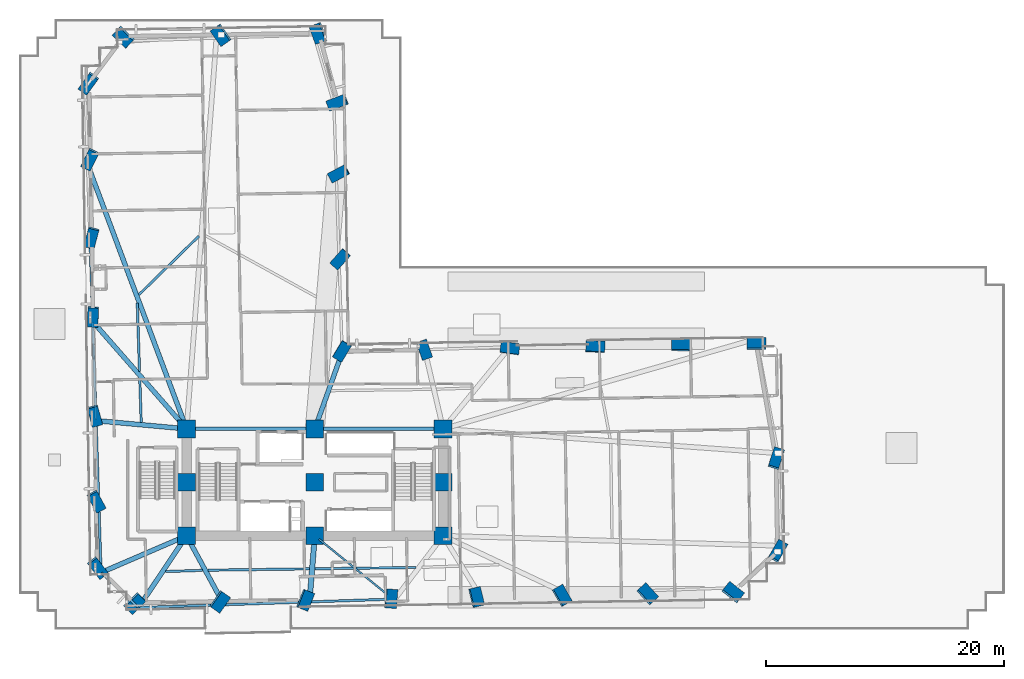
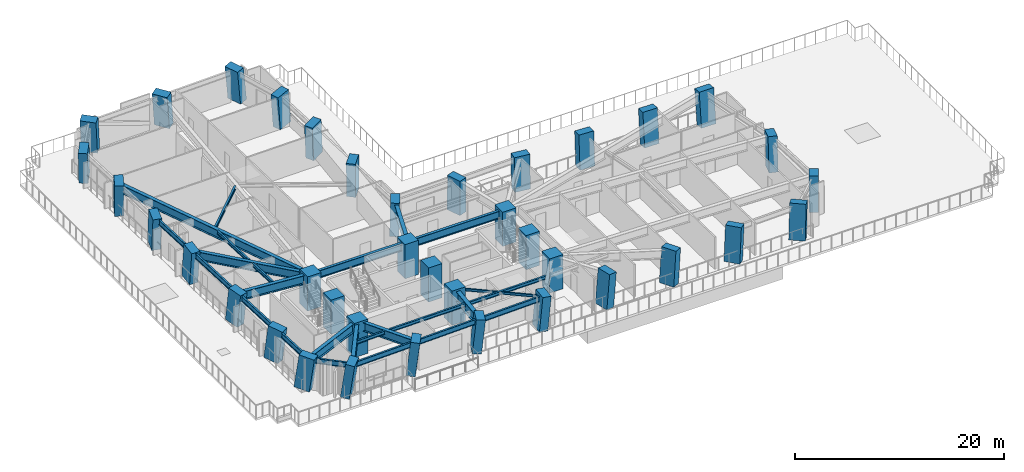
# One storey, part 1 of 17: 38 columns, 25 beams.
"""IFC4 building model written with IfcOpenShell, lengths in metres."""

from ifc_helpers import new_model, si_unit, direction, frame, origin, origin_2d, place, context, subcontext, project, spatial, rectangle, i_section, extrude, material, material_profile, profile_set, type_object, element, save


model = new_model("IFC4")

# Units and contexts
model_context = context("Model", 3, precision=1e-05, world=origin(), true_north=direction((0.0, 1.0)))
body_context = subcontext(model_context, "Body", "Model", "MODEL_VIEW")
ifc_project = project(units=[si_unit("LENGTHUNIT", "METRE"), si_unit("AREAUNIT", "SQUARE_METRE"), si_unit("VOLUMEUNIT", "CUBIC_METRE"), si_unit("PLANEANGLEUNIT", "RADIAN"), si_unit("MASSUNIT", "GRAM", prefix="KILO")], contexts=[model_context])

# Site, building, storey
site_placement = place(None, origin())
site = spatial("IfcSite", under=ifc_project, at=site_placement, CompositionType="ELEMENT")
building_placement = place(site_placement, origin())
building = spatial("IfcBuilding", under=site, at=building_placement, Name="Gaonmaruhae Medical Tower", CompositionType="ELEMENT")
storey_placement = place(building_placement, frame((0.0, 0.0, 27.0)))
storey = spatial("IfcBuildingStorey", under=building, at=storey_placement, Name="L05", CompositionType="ELEMENT", Elevation=27.0)

# Columns
ifc_material_1 = material(Name="Concrete C60/75", Category="concrete")
ifc_material_profile_1 = material_profile(ifc_material_1, rectangle(XDim=1.5, YDim=1.5, at=origin_2d()), Name="RC-1500x1500")
ifc_profile_set_1 = profile_set([ifc_material_profile_1], Name="Concrete C60/75")
column_type_1 = type_object("IfcColumnType", Name="CC-02 Zone 1 Core Column (RC-1500x1500)", PredefinedType="COLUMN", material=ifc_profile_set_1)
for number, where, z_axis, x_axis, name in (
    (1, (14.0, 7.800048828125, 0.0), (0.0, 0.0, 1.0), (1.0, 0.0, 0.0), "L05 Plumb Core Column CC11"),
    (2, (14.0, 12.300048828125, 0.0), (0.0, 0.0, 1.0), (1.0, 0.0, 0.0), "L05 Plumb Core Column CC12"),
    (3, (14.0, 16.800048828125, 0.0), (0.0, 0.0, 1.0), (1.0, 0.0, 0.0), "L05 Plumb Core Column CC13"),
    (4, (24.800048828125, 7.800048828125, 0.0), (0.0, 0.0, 1.0), (1.0, 0.0, 0.0), "L05 Plumb Core Column CC21"),
    (5, (24.800048828125, 12.300048828125, 0.0), (0.0, 0.0, 1.0), (1.0, 0.0, 0.0), "L05 Plumb Core Column CC22"),
    (6, (24.800048828125, 16.800048828125, 0.0), (0.0, 0.0, 1.0), (1.0, 0.0, 0.0), "L05 Plumb Core Column CC23"),
    (7, (35.60009765625, 7.800048828125, 0.0), (0.0, 0.0, 1.0), (1.0, 0.0, 0.0), "L05 Plumb Core Column CC31"),
    (8, (35.60009765625, 12.300048828125, 0.0), (0.0, 0.0, 1.0), (1.0, 0.0, 0.0), "L05 Plumb Core Column CC32"),
    (9, (35.60009765625, 16.800048828125, 0.0), (0.0, 0.0, 1.0), (1.0, 0.0, 0.0), "L05 Plumb Core Column CC33"),
):
    element("IfcColumn", number, at=place(storey_placement, frame(where, z_axis=z_axis, x_axis=x_axis)), inside=storey, type_object=column_type_1, Name=name, PredefinedType="COLUMN", context=body_context, shape_type="SweptSolid", body=[
        extrude(rectangle(XDim=1.5, YDim=1.5, at=origin_2d()), origin(), (0.0, 0.0, 1.0), 4.0),
    ])
ifc_material_profile_2 = material_profile(ifc_material_1, rectangle(XDim=1.60009765625, YDim=0.89990234375, at=origin_2d()), Name="RC-1600x900")
ifc_profile_set_2 = profile_set([ifc_material_profile_2], Name="Concrete C60/75")
column_type_2 = type_object("IfcColumnType", Name="TC-01 Lower Raking Tube Pier Column (RC-1600x900)", PredefinedType="COLUMN", material=ifc_profile_set_2)
column_1_placement = place(storey_placement, frame((9.578369140625, 2.14208984375, 0.0654296875), z_axis=(0.09385430122, -0.0979135305, 0.990759461569), x_axis=(0.710446471989, 0.703747649097, 0.002248739283)))
element("IfcColumn", 10, at=column_1_placement, inside=storey, type_object=column_type_2, Name="L05 Perimeter Tube Column S01", PredefinedType="COLUMN", context=body_context, shape_type="SweptSolid", body=[
    extrude(rectangle(XDim=1.60009765625, YDim=0.89990234375, at=origin_2d()), origin(), (0.0, 0.0, 1.0), 3.969482421875),
])
column_2_placement = place(storey_placement, frame((16.776611328125, 2.263916015625, 0.05615234375), z_axis=(0.093317954114, -0.068465974245, 0.993279502361), x_axis=(0.578188659953, 0.815900846362, 0.00191895986)))
element("IfcColumn", 11, at=column_2_placement, inside=storey, type_object=column_type_2, Name="L05 Perimeter Tube Column S02", PredefinedType="COLUMN", context=body_context, shape_type="SweptSolid", body=[
    extrude(rectangle(XDim=1.60009765625, YDim=0.89990234375, at=origin_2d()), origin(), (0.0, 0.0, 1.0), 3.96875),
])
column_3_placement = place(storey_placement, frame((23.974853515625, 2.38525390625, 0.049072265625), z_axis=(0.09275167564, -0.038933561459, 0.994927788565), x_axis=(0.37178205888, 0.928318544007, 0.001667797575)))
element("IfcColumn", 12, at=column_3_placement, inside=storey, type_object=column_type_2, Name="L05 Perimeter Tube Column S03", PredefinedType="COLUMN", context=body_context, shape_type="SweptSolid", body=[
    extrude(rectangle(XDim=1.60009765625, YDim=0.89990234375, at=origin_2d()), origin(), (0.0, 0.0, 1.0), 3.96923828125),
])
column_4_placement = place(storey_placement, frame((31.173583984375, 2.506103515625, 0.04541015625), z_axis=(0.092062174352, -0.009224666769, 0.995710531016), x_axis=(0.083260947283, 0.996526598458, 0.001534022092)))
element("IfcColumn", 13, at=column_4_placement, inside=storey, type_object=column_type_2, Name="L05 Perimeter Tube Column S04", PredefinedType="COLUMN", context=body_context, shape_type="SweptSolid", body=[
    extrude(rectangle(XDim=1.60009765625, YDim=0.89990234375, at=origin_2d()), origin(), (0.0, 0.0, 1.0), 3.969970703125),
])
column_5_placement = place(storey_placement, frame((38.37255859375, 2.626953125, 0.0458984375), z_axis=(0.091326415015, 0.020417757431, 0.995611671839), x_axis=(-0.234262210703, 0.972172211749, 0.001551560232)))
element("IfcColumn", 14, at=column_5_placement, inside=storey, type_object=column_type_2, Name="L05 Perimeter Tube Column S05", PredefinedType="COLUMN", context=body_context, shape_type="SweptSolid", body=[
    extrude(rectangle(XDim=1.60009765625, YDim=0.89990234375, at=origin_2d()), origin(), (0.0, 0.0, 1.0), 3.9697265625),
])
column_6_placement = place(storey_placement, frame((45.57177734375, 2.747802734375, 0.050537109375), z_axis=(0.090543922154, 0.050131315595, 0.994629905723), x_axis=(-0.498741414355, 0.866749131608, 0.001715944321)))
element("IfcColumn", 15, at=column_6_placement, inside=storey, type_object=column_type_2, Name="L05 Perimeter Tube Column S06", PredefinedType="COLUMN", context=body_context, shape_type="SweptSolid", body=[
    extrude(rectangle(XDim=1.60009765625, YDim=0.89990234375, at=origin_2d()), origin(), (0.0, 0.0, 1.0), 3.968994140625),
])
column_7_placement = place(storey_placement, frame((52.771484375, 2.869384765625, 0.05810546875), z_axis=(0.089627245937, 0.079600313138, 0.992789376924), x_axis=(-0.676261234577, 0.736659210637, 0.001987458964)))
element("IfcColumn", 16, at=column_7_placement, inside=storey, type_object=column_type_2, Name="L05 Perimeter Tube Column S07", PredefinedType="COLUMN", context=body_context, shape_type="SweptSolid", body=[
    extrude(rectangle(XDim=1.60009765625, YDim=0.89990234375, at=origin_2d()), origin(), (0.0, 0.0, 1.0), 3.96875),
])
column_8_placement = place(storey_placement, frame((59.971435546875, 2.991455078125, 0.067626953125), z_axis=(0.088615873193, 0.108971080706, 0.990087132826), x_axis=(-0.786096345824, 0.61809959728, 0.002328717264)))
element("IfcColumn", 17, at=column_8_placement, inside=storey, type_object=column_type_2, Name="L05 Perimeter Tube Column S08", PredefinedType="COLUMN", context=body_context, shape_type="SweptSolid", body=[
    extrude(rectangle(XDim=1.60009765625, YDim=0.89990234375, at=origin_2d()), origin(), (0.0, 0.0, 1.0), 3.969970703125),
])
column_9_placement = place(storey_placement, frame((63.767333984375, 6.46240234375, 0.119384765625), z_axis=(0.074234646943, 0.124305667197, 0.989463146507), x_axis=(-0.493016569743, -0.8578914516, 0.144765048372)))
element("IfcColumn", 18, at=column_9_placement, inside=storey, type_object=column_type_2, Name="L05 Perimeter Tube Column E01", PredefinedType="COLUMN", context=body_context, shape_type="SweptSolid", body=[
    extrude(rectangle(XDim=1.60009765625, YDim=0.89990234375, at=origin_2d()), origin(), (0.0, 0.0, 1.0), 3.920166015625),
])
column_10_placement = place(storey_placement, frame((63.6337890625, 14.260009765625, 0.108154296875), z_axis=(0.042309468118, 0.123755194246, 0.9914103897), x_axis=(-0.304985990688, -0.943335999757, 0.130769786443)))
element("IfcColumn", 19, at=column_10_placement, inside=storey, type_object=column_type_2, Name="L05 Perimeter Tube Column E02", PredefinedType="COLUMN", context=body_context, shape_type="SweptSolid", body=[
    extrude(rectangle(XDim=1.60009765625, YDim=0.89990234375, at=origin_2d()), origin(), (0.0, 0.0, 1.0), 3.923828125),
])
column_11_placement = place(storey_placement, frame((61.96875, 23.927001953125, 0.056640625), z_axis=(0.002645138418, 0.116755179478, 0.993157203724), x_axis=(-0.999979002339, 0.006184310224, 0.001936282211)))
element("IfcColumn", 20, at=column_11_placement, inside=storey, type_object=column_type_2, Name="L05 Perimeter Tube Column E03", PredefinedType="COLUMN", context=body_context, shape_type="SweptSolid", body=[
    extrude(rectangle(XDim=1.60009765625, YDim=0.89990234375, at=origin_2d()), origin(), (0.0, 0.0, 1.0), 3.96875),
])
column_12_placement = place(storey_placement, frame((55.61962890625, 23.819091796875, 0.044677734375), z_axis=(0.003259253209, 0.090890117801, 0.995855593826), x_axis=(-0.999812006262, 0.019330761155, 0.001507914743)))
element("IfcColumn", 21, at=column_12_placement, inside=storey, type_object=column_type_2, Name="L05 Perimeter Tube Column EN01", PredefinedType="COLUMN", context=body_context, shape_type="SweptSolid", body=[
    extrude(rectangle(XDim=1.60009765625, YDim=0.89990234375, at=origin_2d()), origin(), (0.0, 0.0, 1.0), 3.969970703125),
])
column_13_placement = place(storey_placement, frame((48.42041015625, 23.697509765625, 0.031005859375), z_axis=(0.004053851725, 0.061360573833, 0.998107432226), x_axis=(-0.998778514599, 0.049400802185, 0.001019568036)))
element("IfcColumn", 22, at=column_13_placement, inside=storey, type_object=column_type_2, Name="L05 Perimeter Tube Column EN02", PredefinedType="COLUMN", context=body_context, shape_type="SweptSolid", body=[
    extrude(rectangle(XDim=1.60009765625, YDim=0.89990234375, at=origin_2d()), origin(), (0.0, 0.0, 1.0), 3.974853515625),
])
column_14_placement = place(storey_placement, frame((41.221435546875, 23.57666015625, 0.017333984375), z_axis=(0.004781067333, 0.031628599282, 0.99948825561), x_axis=(-0.991107976076, 0.133059003759, 0.000530355464)))
element("IfcColumn", 23, at=column_14_placement, inside=storey, type_object=column_type_2, Name="L05 Perimeter Tube Column EN03", PredefinedType="COLUMN", context=body_context, shape_type="SweptSolid", body=[
    extrude(rectangle(XDim=1.60009765625, YDim=0.89990234375, at=origin_2d()), origin(), (0.0, 0.0, 1.0), 3.98291015625),
])
column_15_placement = place(storey_placement, frame((34.0224609375, 23.456787109375, 0.005126953125), z_axis=(0.005502475307, 0.001834158436, 0.999983179173), x_axis=(-0.331913078241, 0.943309969864, 9.6165196e-05)))
element("IfcColumn", 24, at=column_15_placement, inside=storey, type_object=column_type_2, Name="L05 Perimeter Tube Column EN04", PredefinedType="COLUMN", context=body_context, shape_type="SweptSolid", body=[
    extrude(rectangle(XDim=1.60009765625, YDim=0.89990234375, at=origin_2d()), origin(), (0.0, 0.0, 1.0), 3.9931640625),
])
column_16_placement = place(storey_placement, frame((27.073486328125, 23.3408203125, 0.027099609375), z_axis=(0.006268343102, -0.026978457077, 0.999616361775), x_axis=(0.514645990201, 0.857171641493, 0.019906827715)))
element("IfcColumn", 25, at=column_16_placement, inside=storey, type_object=column_type_2, Name="L05 Perimeter Tube Column KN01", PredefinedType="COLUMN", context=body_context, shape_type="SweptSolid", body=[
    extrude(rectangle(XDim=1.60009765625, YDim=0.89990234375, at=origin_2d()), origin(), (0.0, 0.0, 1.0), 3.97265625),
])
column_17_placement = place(storey_placement, frame((26.94384765625, 31.089599609375, 0.033203125), z_axis=(-0.025780347074, -0.027810780137, 0.999280708416), x_axis=(0.667086954162, 0.744014331255, 0.037916625301)))
element("IfcColumn", 26, at=column_17_placement, inside=storey, type_object=column_type_2, Name="L05 Perimeter Tube Column NE01", PredefinedType="COLUMN", context=body_context, shape_type="SweptSolid", body=[
    extrude(rectangle(XDim=1.60009765625, YDim=0.89990234375, at=origin_2d()), origin(), (0.0, 0.0, 1.0), 3.968017578125),
])
column_18_placement = place(storey_placement, frame((26.822509765625, 38.2880859375, 0.052978515625), z_axis=(-0.05558425693, -0.028533251891, 0.998046213318), x_axis=(0.880200290318, 0.470472917343, 0.062471457246)))
element("IfcColumn", 27, at=column_18_placement, inside=storey, type_object=column_type_2, Name="L05 Perimeter Tube Column NE02", PredefinedType="COLUMN", context=body_context, shape_type="SweptSolid", body=[
    extrude(rectangle(XDim=1.60009765625, YDim=0.89990234375, at=origin_2d()), origin(), (0.0, 0.0, 1.0), 3.953125),
])
column_19_placement = place(storey_placement, frame((26.72021484375, 44.28662109375, 0.0712890625), z_axis=(-0.08027780033, -0.029051148422, 0.996349088196), x_axis=(0.931118184784, 0.354587697281, 0.085360944825)))
element("IfcColumn", 28, at=column_19_placement, inside=storey, type_object=column_type_2, Name="L05 Perimeter Tube Column NE03", PredefinedType="COLUMN", context=body_context, shape_type="SweptSolid", body=[
    extrude(rectangle(XDim=1.60009765625, YDim=0.89990234375, at=origin_2d()), origin(), (0.0, 0.0, 1.0), 3.94140625),
])
for number, where, z_axis, x_axis, name in (
    (29, (25.12353515625, 50.111083984375, 0.053466796875), (-0.104019101219, -0.03573926541, 0.993932961265), (0.340479455181, -0.940250187534, 0.001823579636), "L05 Perimeter Tube Column N01"),
    (30, (16.924072265625, 49.972900390625, 0.06005859375), (-0.102971801452, -0.069447529175, 0.992256946963), (0.572712110389, -0.81975398632, 0.00205925375), "L05 Perimeter Tube Column N02"),
):
    element("IfcColumn", number, at=place(storey_placement, frame(where, z_axis=z_axis, x_axis=x_axis)), inside=storey, type_object=column_type_2, Name=name, PredefinedType="COLUMN", context=body_context, shape_type="SweptSolid", body=[
        extrude(rectangle(XDim=1.60009765625, YDim=0.89990234375, at=origin_2d()), origin(), (0.0, 0.0, 1.0), 3.968994140625),
    ])
column_20_placement = place(storey_placement, frame((8.724365234375, 49.833984375, 0.069580078125), z_axis=(-0.10188543375, -0.10286923999, 0.989463126071), x_axis=(0.721942764121, -0.691948612866, 0.0024005177)))
element("IfcColumn", 31, at=column_20_placement, inside=storey, type_object=column_type_2, Name="L05 Perimeter Tube Column N03", PredefinedType="COLUMN", context=body_context, shape_type="SweptSolid", body=[
    extrude(rectangle(XDim=1.60009765625, YDim=0.89990234375, at=origin_2d()), origin(), (0.0, 0.0, 1.0), 3.970458984375),
])
column_21_placement = place(storey_placement, frame((5.785400390625, 45.92822265625, 0.1181640625), z_axis=(-0.085809994835, -0.114766197736, 0.98967942519), x_axis=(0.579277175858, 0.802439382746, 0.143279414254)))
element("IfcColumn", 32, at=column_21_placement, inside=storey, type_object=column_type_2, Name="L05 Perimeter Tube Column W01", PredefinedType="COLUMN", context=body_context, shape_type="SweptSolid", body=[
    extrude(rectangle(XDim=1.60009765625, YDim=0.89990234375, at=origin_2d()), origin(), (0.0, 0.0, 1.0), 3.920654296875),
])
column_22_placement = place(storey_placement, frame((5.895263671875, 39.530517578125, 0.106689453125), z_axis=(-0.059660635977, -0.114344368014, 0.991648109976), x_axis=(0.443956682583, 0.886720367742, 0.128955238049)))
element("IfcColumn", 33, at=column_22_placement, inside=storey, type_object=column_type_2, Name="L05 Perimeter Tube Column W02", PredefinedType="COLUMN", context=body_context, shape_type="SweptSolid", body=[
    extrude(rectangle(XDim=1.60009765625, YDim=0.89990234375, at=origin_2d()), origin(), (0.0, 0.0, 1.0), 3.92431640625),
])
column_23_placement = place(storey_placement, frame((6.008056640625, 32.932373046875, 0.09814453125), z_axis=(-0.032570607455, -0.11381065315, 0.992968423848), x_axis=(0.257225027096, 0.959075298635, 0.11836324169)))
element("IfcColumn", 34, at=column_23_placement, inside=storey, type_object=column_type_2, Name="L05 Perimeter Tube Column W03", PredefinedType="COLUMN", context=body_context, shape_type="SweptSolid", body=[
    extrude(rectangle(XDim=1.60009765625, YDim=0.89990234375, at=origin_2d()), origin(), (0.0, 0.0, 1.0), 3.927734375),
])
column_24_placement = place(storey_placement, frame((6.120849609375, 26.283935546875, 0.093994140625), z_axis=(-0.005218792741, -0.113198099685, 0.99355873225), x_axis=(0.029189051615, 0.993131654715, 0.113302761082)))
element("IfcColumn", 35, at=column_24_placement, inside=storey, type_object=column_type_2, Name="L05 Perimeter Tube Column W04", PredefinedType="COLUMN", context=body_context, shape_type="SweptSolid", body=[
    extrude(rectangle(XDim=1.60009765625, YDim=0.89990234375, at=origin_2d()), origin(), (0.0, 0.0, 1.0), 3.9296875),
])
column_25_placement = place(storey_placement, frame((6.2626953125, 17.934814453125, 0.09619140625), z_axis=(0.0291455338, -0.112294199523, 0.993247477023), x_axis=(-0.265539861832, 0.957096041308, 0.115998920218)))
element("IfcColumn", 36, at=column_25_placement, inside=storey, type_object=column_type_2, Name="L05 Perimeter Tube Column W05", PredefinedType="COLUMN", context=body_context, shape_type="SweptSolid", body=[
    extrude(rectangle(XDim=1.60009765625, YDim=0.89990234375, at=origin_2d()), origin(), (0.0, 0.0, 1.0), 3.9287109375),
])
column_26_placement = place(storey_placement, frame((6.385498046875, 10.735107421875, 0.104248046875), z_axis=(0.058713450572, -0.111456041764, 0.99203340744), x_axis=(-0.47696440437, 0.869850332471, 0.125957755079)))
element("IfcColumn", 37, at=column_26_placement, inside=storey, type_object=column_type_2, Name="L05 Perimeter Tube Column W06", PredefinedType="COLUMN", context=body_context, shape_type="SweptSolid", body=[
    extrude(rectangle(XDim=1.60009765625, YDim=0.89990234375, at=origin_2d()), origin(), (0.0, 0.0, 1.0), 3.92529296875),
])
column_27_placement = place(storey_placement, frame((6.4814453125, 5.134765625, 0.113525390625), z_axis=(0.081607948245, -0.110678056429, 0.990500131554), x_axis=(-0.601087417421, 0.787267187995, 0.137492877356)))
element("IfcColumn", 38, at=column_27_placement, inside=storey, type_object=column_type_2, Name="L05 Perimeter Tube Column W07", PredefinedType="COLUMN", context=body_context, shape_type="SweptSolid", body=[
    extrude(rectangle(XDim=1.60009765625, YDim=0.89990234375, at=origin_2d()), origin(), (0.0, 0.0, 1.0), 3.922119140625),
])

# Beams
ifc_material_2 = material(Name="Steel SM420", Category="steel")
ifc_material_profile_3 = material_profile(ifc_material_2, i_section(OverallWidth=0.449951171875, OverallDepth=1.199951171875, WebThickness=0.02490234375, FlangeThickness=0.0400390625, at=origin_2d()), Name="BH-1200x450x25x40")
ifc_profile_set_3 = profile_set([ifc_material_profile_3], Name="Steel SM420")
beam_type_1 = type_object("IfcBeamType", Name="BG-01 Heavy Transfer Tie Girder (BH-1200x450x25x40)", PredefinedType="BEAM", material=ifc_profile_set_3)
beam_1_placement = place(storey_placement, frame((24.7958984375, 7.750244140625, 3.179931640625), z_axis=(-0.081764230678, -0.996651699733, 0.0), x_axis=(0.996651699733, -0.081764230678, 0.0)))
element("IfcBeam", 39, at=beam_1_placement, inside=storey, type_object=beam_type_1, Name="L05 Radial Primary Girder S03", PredefinedType="BEAM", context=body_context, shape_type="SweptSolid", body=[
    extrude(i_section(OverallWidth=0.449951171875, OverallDepth=1.199951171875, WebThickness=0.02490234375, FlangeThickness=0.0400390625, at=origin_2d()), origin(), (0.0, 0.0, 1.0), 5.488037109375),
])
ifc_material_profile_4 = material_profile(ifc_material_2, i_section(OverallWidth=0.39990234375, OverallDepth=1.0, WebThickness=0.02197265625, FlangeThickness=0.035888671875, at=origin_2d()), Name="BH-1000x400x22x36")
ifc_profile_set_4 = profile_set([ifc_material_profile_4], Name="Steel SM420")
beam_type_2 = type_object("IfcBeamType", Name="BG-02 Refuge Floor Primary Girder (BH-1000x400x22x36)", PredefinedType="BEAM", material=ifc_profile_set_4)
beam_2_placement = place(storey_placement, frame((13.97216796875, 7.758544921875, 3.280029296875), z_axis=(-0.556363246803, -0.830939190077, 0.0), x_axis=(0.830939190077, -0.556363246803, 0.0)))
element("IfcBeam", 40, at=beam_2_placement, inside=storey, type_object=beam_type_2, Name="L05 Radial Primary Girder S01", PredefinedType="BEAM", context=body_context, shape_type="SweptSolid", body=[
    extrude(i_section(OverallWidth=0.39990234375, OverallDepth=1.0, WebThickness=0.02197265625, FlangeThickness=0.035888671875, at=origin_2d()), origin(), (0.0, 0.0, 1.0), 7.17724609375),
])
beam_3_placement = place(storey_placement, frame((14.02392578125, 7.756103515625, 3.280029296875), z_axis=(0.476391944967, -0.879233026433, 0.0), x_axis=(0.879233026433, 0.476391944967, 0.0)))
element("IfcBeam", 41, at=beam_3_placement, inside=storey, type_object=beam_type_2, Name="L05 Radial Primary Girder S02", PredefinedType="BEAM", context=body_context, shape_type="SweptSolid", body=[
    extrude(i_section(OverallWidth=0.39990234375, OverallDepth=1.0, WebThickness=0.02197265625, FlangeThickness=0.035888671875, at=origin_2d()), origin(), (0.0, 0.0, 1.0), 6.505859375),
])
beam_4_placement = place(storey_placement, frame((24.81689453125, 16.84716796875, 3.280029296875), z_axis=(0.336414509802, 0.941714010512, 0.0), x_axis=(-0.941714010512, 0.336414509802, 0.0)))
element("IfcBeam", 42, at=beam_4_placement, inside=storey, type_object=beam_type_2, Name="L05 Radial Primary Girder KN01", PredefinedType="BEAM", context=body_context, shape_type="SweptSolid", body=[
    extrude(i_section(OverallWidth=0.39990234375, OverallDepth=1.0, WebThickness=0.02197265625, FlangeThickness=0.035888671875, at=origin_2d()), origin(), (0.0, 0.0, 1.0), 6.731689453125),
])
beam_5_placement = place(storey_placement, frame((13.982421875, 16.846923828125, 3.280029296875), z_axis=(-0.350505608767, 0.936560632433, 0.0), x_axis=(-0.936560632433, -0.350505608767, 0.0)))
element("IfcBeam", 43, at=beam_5_placement, inside=storey, type_object=beam_type_2, Name="L05 Radial Primary Girder W02", PredefinedType="BEAM", context=body_context, shape_type="SweptSolid", body=[
    extrude(i_section(OverallWidth=0.39990234375, OverallDepth=1.0, WebThickness=0.02197265625, FlangeThickness=0.035888671875, at=origin_2d()), origin(), (0.0, 0.0, 1.0), 23.690673828125),
])
beam_6_placement = place(storey_placement, frame((13.967041015625, 16.837646484375, 3.280029296875), z_axis=(-0.658055845, 0.752969126101, 0.0), x_axis=(-0.752969126101, -0.658055845, 0.0)))
element("IfcBeam", 44, at=beam_6_placement, inside=storey, type_object=beam_type_2, Name="L05 Radial Primary Girder W04", PredefinedType="BEAM", context=body_context, shape_type="SweptSolid", body=[
    extrude(i_section(OverallWidth=0.39990234375, OverallDepth=1.0, WebThickness=0.02197265625, FlangeThickness=0.035888671875, at=origin_2d()), origin(), (0.0, 0.0, 1.0), 11.904296875),
])
beam_7_placement = place(storey_placement, frame((13.9501953125, 16.804443359375, 3.280029296875), z_axis=(-0.995888436813, 0.09058819693, 0.0), x_axis=(-0.09058819693, -0.995888436813, 0.0)))
element("IfcBeam", 45, at=beam_7_placement, inside=storey, type_object=beam_type_2, Name="L05 Radial Primary Girder W05", PredefinedType="BEAM", context=body_context, shape_type="SweptSolid", body=[
    extrude(i_section(OverallWidth=0.39990234375, OverallDepth=1.0, WebThickness=0.02197265625, FlangeThickness=0.035888671875, at=origin_2d()), origin(), (0.0, 0.0, 1.0), 7.55419921875),
])
beam_8_placement = place(storey_placement, frame((13.9541015625, 7.7802734375, 3.280029296875), z_axis=(-0.91846799132, -0.395495320984, 0.0), x_axis=(0.395495320984, -0.91846799132, 0.0)))
element("IfcBeam", 46, at=beam_8_placement, inside=storey, type_object=beam_type_2, Name="L05 Radial Primary Girder W07", PredefinedType="BEAM", context=body_context, shape_type="SweptSolid", body=[
    extrude(i_section(OverallWidth=0.39990234375, OverallDepth=1.0, WebThickness=0.02197265625, FlangeThickness=0.035888671875, at=origin_2d()), origin(), (0.0, 0.0, 1.0), 7.7373046875),
])
ifc_material_3 = material(Name="Steel SM355", Category="steel")
ifc_material_profile_5 = material_profile(ifc_material_3, i_section(OverallWidth=0.199951171875, OverallDepth=0.39990234375, WebThickness=0.008056640625, FlangeThickness=0.012939453125, FilletRadius=0.012939453125, at=origin_2d()), Name="H-400x200x8x13")
ifc_profile_set_5 = profile_set([ifc_material_profile_5], Name="Steel SM355")
beam_type_3 = type_object("IfcBeamType", Name="FJ-01 Lower Zone Ward Floor Joist (H-400x200x8x13)", PredefinedType="JOIST", material=ifc_profile_set_5)
beam_9_placement = place(storey_placement, frame((12.227783203125, 4.784912109375, 3.580078125), z_axis=(0.999448724252, 0.033200114312, 0.0), x_axis=(-0.033200114312, 0.999448724252, 0.0)))
element("IfcBeam", 47, at=beam_9_placement, inside=storey, type_object=beam_type_3, Name="L05 Secondary Floor Joist FJ01", PredefinedType="JOIST", context=body_context, shape_type="SweptSolid", body=[
    extrude(i_section(OverallWidth=0.199951171875, OverallDepth=0.39990234375, WebThickness=0.008056640625, FlangeThickness=0.012939453125, FilletRadius=0.012939453125, at=origin_2d()), origin(), (0.0, 0.0, 1.0), 3.117919921875),
])
beam_10_placement = place(storey_placement, frame((15.805419921875, 4.899169921875, 3.580078125), z_axis=(0.99991229358, 0.013244060874, 0.0), x_axis=(-0.013244060874, 0.99991229358, 0.0)))
element("IfcBeam", 48, at=beam_10_placement, inside=storey, type_object=beam_type_3, Name="L05 Secondary Floor Joist FJ02", PredefinedType="JOIST", context=body_context, shape_type="SweptSolid", body=[
    extrude(i_section(OverallWidth=0.199951171875, OverallDepth=0.39990234375, WebThickness=0.008056640625, FlangeThickness=0.012939453125, FilletRadius=0.012939453125, at=origin_2d()), origin(), (0.0, 0.0, 1.0), 8.534912109375),
])
beam_11_placement = place(storey_placement, frame((24.803466796875, 5.018310546875, 3.580078125), z_axis=(0.999911713714, 0.013287767959, 0.0), x_axis=(-0.013287767959, 0.999911713714, 0.0)))
element("IfcBeam", 49, at=beam_11_placement, inside=storey, type_object=beam_type_3, Name="L05 Secondary Floor Joist FJ03", PredefinedType="JOIST", context=body_context, shape_type="SweptSolid", body=[
    extrude(i_section(OverallWidth=0.199951171875, OverallDepth=0.39990234375, WebThickness=0.008056640625, FlangeThickness=0.012939453125, FilletRadius=0.012939453125, at=origin_2d()), origin(), (0.0, 0.0, 1.0), 8.5068359375),
])
beam_12_placement = place(storey_placement, frame((15.03662109375, 33.032470703125, 3.580078125), z_axis=(-0.714915973204, -0.699210376967, 0.0), x_axis=(0.699210376967, -0.714915973204, 0.0)))
element("IfcBeam", 50, at=beam_12_placement, inside=storey, type_object=beam_type_3, Name="L05 Secondary Floor Joist FJ14", PredefinedType="JOIST", context=body_context, shape_type="SweptSolid", body=[
    extrude(i_section(OverallWidth=0.199951171875, OverallDepth=0.39990234375, WebThickness=0.008056640625, FlangeThickness=0.012939453125, FilletRadius=0.012939453125, at=origin_2d()), origin(), (0.0, 0.0, 1.0), 7.057373046875),
])
beam_13_placement = place(storey_placement, frame((9.84814453125, 27.40869140625, 3.580078125), z_axis=(0.033169732493, -0.999449733026, 0.0), x_axis=(0.999449733026, 0.033169732493, 0.0)))
element("IfcBeam", 51, at=beam_13_placement, inside=storey, type_object=beam_type_3, Name="L05 Secondary Floor Joist FJ15", PredefinedType="JOIST", context=body_context, shape_type="SweptSolid", body=[
    extrude(i_section(OverallWidth=0.199951171875, OverallDepth=0.39990234375, WebThickness=0.008056640625, FlangeThickness=0.012939453125, FilletRadius=0.012939453125, at=origin_2d()), origin(), (0.0, 0.0, 1.0), 5.7705078125),
])
beam_14_placement = place(storey_placement, frame((10.060791015625, 20.99755859375, 3.580078125), z_axis=(0.033216717609, -0.999448172579, 0.0), x_axis=(0.999448172579, 0.033216717609, 0.0)))
element("IfcBeam", 52, at=beam_14_placement, inside=storey, type_object=beam_type_3, Name="L05 Secondary Floor Joist FJ16", PredefinedType="JOIST", context=body_context, shape_type="SweptSolid", body=[
    extrude(i_section(OverallWidth=0.199951171875, OverallDepth=0.39990234375, WebThickness=0.008056640625, FlangeThickness=0.012939453125, FilletRadius=0.012939453125, at=origin_2d()), origin(), (0.0, 0.0, 1.0), 3.6455078125),
])
ifc_material_profile_6 = material_profile(ifc_material_3, i_section(OverallWidth=0.14990234375, OverallDepth=0.300048828125, WebThickness=0.006591796875, FlangeThickness=0.009033203125, FilletRadius=0.012939453125, at=origin_2d()), Name="H-300x150x6.5x9")
ifc_profile_set_6 = profile_set([ifc_material_profile_6], Name="Steel SM355")
beam_type_4 = type_object("IfcBeamType", Name="FJ-03 Crown Cap & Terrace Ring Beam (H-300x150x6.5x9)", PredefinedType="JOIST", material=ifc_profile_set_6)
beam_15_placement = place(storey_placement, frame((31.004638671875, 2.771240234375, 3.610107421875), z_axis=(-0.776880370943, 0.629648226587, 0.0), x_axis=(-0.629648226587, -0.776880370943, 0.0)))
element("IfcBeam", 53, at=beam_15_placement, inside=storey, type_object=beam_type_4, Name="L05 Terrace Support Tie Beam", PredefinedType="JOIST", context=body_context, shape_type="SweptSolid", body=[
    extrude(i_section(OverallWidth=0.14990234375, OverallDepth=0.300048828125, WebThickness=0.006591796875, FlangeThickness=0.009033203125, FilletRadius=0.012939453125, at=origin_2d()), origin(), (0.0, 0.0, 1.0), 7.53662109375),
])
ifc_material_profile_7 = material_profile(ifc_material_2, i_section(OverallWidth=0.300048828125, OverallDepth=0.89990234375, WebThickness=0.01611328125, FlangeThickness=0.028076171875, FilletRadius=0.01806640625, at=origin_2d()), Name="H-900x300x16x28")
ifc_profile_set_7 = profile_set([ifc_material_profile_7], Name="Steel SM420")
beam_type_5 = type_object("IfcBeamType", Name="PG-01 Zone 1 Radial Floor Girder (H-900x300x16x28)", PredefinedType="BEAM", material=ifc_profile_set_7)
for number, where, z_axis, x_axis, name in (
    (54, (14.050048828125, 16.800048828125, 3.330078125), (1.0, 0.0, 0.0), (0.0, 1.0, 0.0), "L05 Beam BM-L05-CG-N1"),
    (55, (24.85009765625, 16.800048828125, 3.330078125), (1.0, 0.0, 0.0), (0.0, 1.0, 0.0), "L05 Beam BM-L05-CG-N2"),
):
    element("IfcBeam", number, at=place(storey_placement, frame(where, z_axis=z_axis, x_axis=x_axis)), inside=storey, type_object=beam_type_5, Name=name, PredefinedType="BEAM", context=body_context, shape_type="SweptSolid", body=[
        extrude(i_section(OverallWidth=0.300048828125, OverallDepth=0.89990234375, WebThickness=0.01611328125, FlangeThickness=0.028076171875, FilletRadius=0.01806640625, at=origin_2d()), origin(), (0.0, 0.0, 1.0), 10.699951171875),
    ])
ifc_material_profile_8 = material_profile(ifc_material_3, i_section(OverallWidth=0.199951171875, OverallDepth=0.60009765625, WebThickness=0.010986328125, FlangeThickness=0.01708984375, FilletRadius=0.012939453125, at=origin_2d()), Name="H-600x200x11x17")
ifc_profile_set_8 = profile_set([ifc_material_profile_8], Name="Steel SM355")
beam_type_6 = type_object("IfcBeamType", Name="SP-01 Lower Perimeter Spandrel Beam (H-600x200x11x17)", PredefinedType="SPANDREL", material=ifc_profile_set_8)
for number, where, z_axis, x_axis, name in (
    (56, (9.9912109375, 1.754638671875, 3.47998046875), (0.999450108643, 0.033158412703, 0.0), (-0.033158412703, 0.999450108643, 0.0), "L05 Perimeter Spandrel Beam S01-S02"),
    (57, (17.187255859375, 1.993408203125, 3.47998046875), (0.999451244434, 0.033124160364, 0.0), (-0.033124160364, 0.999451244434, 0.0), "L05 Perimeter Spandrel Beam S02-S03"),
    (58, (24.38330078125, 2.23193359375, 3.4599609375), (0.999450108643, 0.033158412703, 0.0), (-0.033158412703, 0.999450108643, 0.0), "L05 Perimeter Spandrel Beam S03-S04"),
):
    element("IfcBeam", number, at=place(storey_placement, frame(where, z_axis=z_axis, x_axis=x_axis)), inside=storey, type_object=beam_type_6, Name=name, PredefinedType="SPANDREL", context=body_context, shape_type="SweptSolid", body=[
        extrude(i_section(OverallWidth=0.199951171875, OverallDepth=0.60009765625, WebThickness=0.010986328125, FlangeThickness=0.01708984375, FilletRadius=0.012939453125, at=origin_2d()), origin(), (0.0, 0.0, 1.0), 7.119873046875),
    ])
beam_16_placement = place(storey_placement, frame((5.88134765625, 32.445068359375, 3.47998046875), z_axis=(0.033147789969, -0.999450461014, 0.0), x_axis=(0.999450461014, 0.033147789969, 0.0)))
element("IfcBeam", 59, at=beam_16_placement, inside=storey, type_object=beam_type_6, Name="L05 Perimeter Spandrel Beam W03-W04", PredefinedType="SPANDREL", context=body_context, shape_type="SweptSolid", body=[
    extrude(i_section(OverallWidth=0.199951171875, OverallDepth=0.60009765625, WebThickness=0.010986328125, FlangeThickness=0.01708984375, FilletRadius=0.012939453125, at=origin_2d()), origin(), (0.0, 0.0, 1.0), 6.56982421875),
])
beam_17_placement = place(storey_placement, frame((6.101806640625, 25.798828125, 3.47998046875), z_axis=(0.033152641766, -0.999450300087, 0.0), x_axis=(0.999450300087, 0.033152641766, 0.0)))
element("IfcBeam", 60, at=beam_17_placement, inside=storey, type_object=beam_type_6, Name="L05 Perimeter Spandrel Beam W04-W05", PredefinedType="SPANDREL", context=body_context, shape_type="SweptSolid", body=[
    extrude(i_section(OverallWidth=0.199951171875, OverallDepth=0.60009765625, WebThickness=0.010986328125, FlangeThickness=0.01708984375, FilletRadius=0.012939453125, at=origin_2d()), origin(), (0.0, 0.0, 1.0), 8.27001953125),
])
beam_18_placement = place(storey_placement, frame((6.378662109375, 17.453369140625, 3.47998046875), z_axis=(0.033158412703, -0.999450108643, 0.0), x_axis=(0.999450108643, 0.033158412703, 0.0)))
element("IfcBeam", 61, at=beam_18_placement, inside=storey, type_object=beam_type_6, Name="L05 Perimeter Spandrel Beam W05-W06", PredefinedType="SPANDREL", context=body_context, shape_type="SweptSolid", body=[
    extrude(i_section(OverallWidth=0.199951171875, OverallDepth=0.60009765625, WebThickness=0.010986328125, FlangeThickness=0.01708984375, FilletRadius=0.012939453125, at=origin_2d()), origin(), (0.0, 0.0, 1.0), 7.119873046875),
])
beam_19_placement = place(storey_placement, frame((6.617431640625, 10.25732421875, 3.47998046875), z_axis=(0.033127799785, -0.999451123808, 0.0), x_axis=(0.999451123808, 0.033127799785, 0.0)))
element("IfcBeam", 62, at=beam_19_placement, inside=storey, type_object=beam_type_6, Name="L05 Perimeter Spandrel Beam W06-W07", PredefinedType="SPANDREL", context=body_context, shape_type="SweptSolid", body=[
    extrude(i_section(OverallWidth=0.199951171875, OverallDepth=0.60009765625, WebThickness=0.010986328125, FlangeThickness=0.01708984375, FilletRadius=0.012939453125, at=origin_2d()), origin(), (0.0, 0.0, 1.0), 5.519775390625),
])
beam_20_placement = place(storey_placement, frame((6.830810546875, 4.673095703125, 3.47998046875), z_axis=(0.73016096032, -0.683275180308, 0.0), x_axis=(0.683275180308, 0.73016096032, 0.0)))
element("IfcBeam", 63, at=beam_20_placement, inside=storey, type_object=beam_type_6, Name="L05 Perimeter Spandrel Beam W07-S01", PredefinedType="SPANDREL", context=body_context, shape_type="SweptSolid", body=[
    extrude(i_section(OverallWidth=0.199951171875, OverallDepth=0.60009765625, WebThickness=0.010986328125, FlangeThickness=0.01708984375, FilletRadius=0.012939453125, at=origin_2d()), origin(), (0.0, 0.0, 1.0), 4.2333984375),
])

save(model, "model.ifc")
